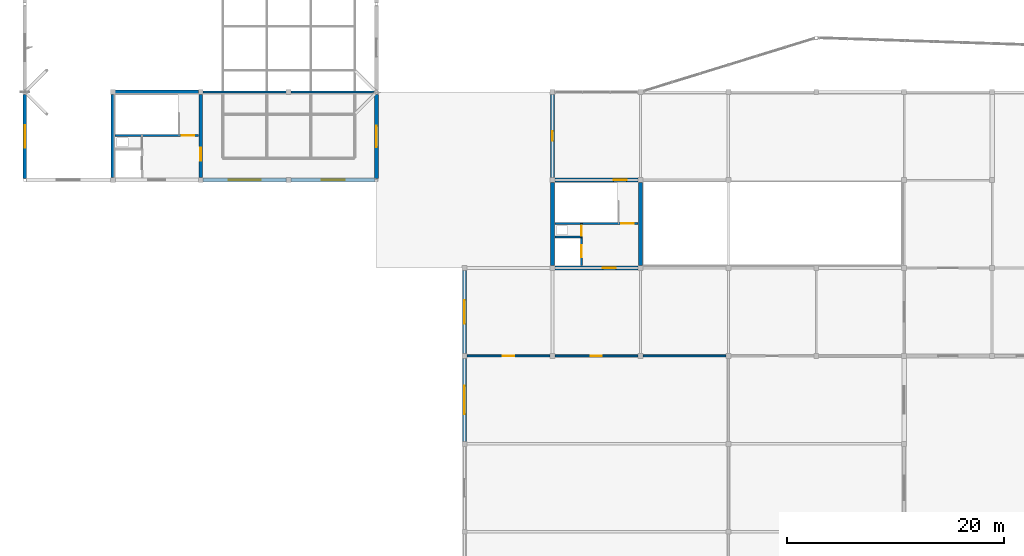
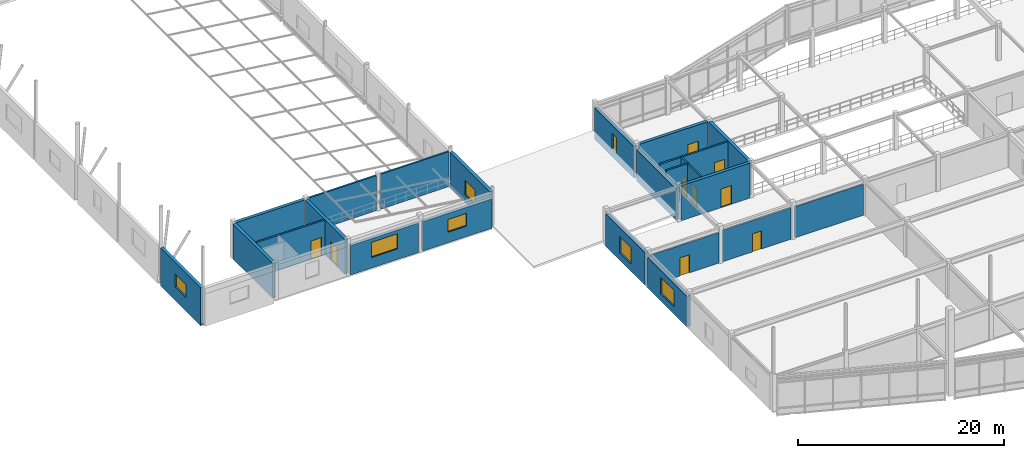
# One storey, part 64 of 89: 24 walls, 9 doors, 7 windows, 16 openings.
"""IFC4 building model written with IfcOpenShell, lengths in metres."""

from ifc_helpers import new_model, si_unit, direction, frame, frame_2d, origin, place, context, subcontext, project, spatial, rectangle, extrude, material, layer, layer_set, type_object, element, fill, save


model = new_model("IFC4")

# Units and contexts
model_context = context("Model", 3, precision=1e-05, world=origin(), true_north=direction((0.0, 1.0)))
body_context = subcontext(model_context, "Body", "Model", "MODEL_VIEW")
ifc_project = project(units=[si_unit("LENGTHUNIT", "METRE"), si_unit("AREAUNIT", "SQUARE_METRE"), si_unit("VOLUMEUNIT", "CUBIC_METRE"), si_unit("PLANEANGLEUNIT", "RADIAN"), si_unit("MASSUNIT", "GRAM", prefix="KILO")], contexts=[model_context])

# Site, building, storey
site_placement = place(None, origin())
site = spatial("IfcSite", under=ifc_project, at=site_placement, CompositionType="ELEMENT")
building_placement = place(site_placement, origin())
building = spatial("IfcBuilding", under=site, at=building_placement, Name="Vaudrelin Polytechnic", CompositionType="ELEMENT")
storey_placement = place(building_placement, frame((0.0, 0.0, 9.68994140625)))
storey = spatial("IfcBuildingStorey", under=building, at=storey_placement, Name="L02", CompositionType="ELEMENT", Elevation=9.68994140625)

# Wall, opening, window
ifc_material_1 = material(Name="Insulated precast concrete sandwich panel 40 MPa", Category="concrete")
ifc_layer_1 = layer(ifc_material_1, 0.340087890625)
ifc_layer_set_1 = layer_set([ifc_layer_1], Name="Insulated precast concrete sandwich panel 40 MPa")
wall_type_1 = type_object("IfcWallType", Name="WAL-EW-IND340", PredefinedType="STANDARD", material=ifc_layer_set_1)
wall_1_placement = place(storey_placement, frame((0.0, 40.625, -0.3798828125), z_axis=(0.0, 0.0, 1.0), x_axis=(0.0, 1.0, 0.0)))
wall_1 = element("IfcWall", 1, at=wall_1_placement, inside=storey, type_object=wall_type_1, Name="Exterior wall L02 W_V1_00", PredefinedType="STANDARD", context=body_context, shape_type="SweptSolid", body=[
    extrude(rectangle(XDim=7.77392578125, YDim=0.340087890625, at=frame_2d((3.886962890625, 0.0))), origin(), (0.0, 0.0, 1.0), 4.52197265625),
])
opening_1_placement = place(wall_1_placement, frame((2.8369140625, 0.0, 1.6298828125)))
opening_1 = element("IfcOpeningElement", 2, at=opening_1_placement, cuts=wall_1, Name="Opening W-L02-W-V1-01", PredefinedType="OPENING", context=body_context, shape_type="SweptSolid", body=[
    extrude(rectangle(XDim=2.10009765625, YDim=1.5, at=frame_2d((1.050048828125, 0.75))), frame((0.0, 0.18017578125, 0.0), z_axis=(0.0, -1.0, 0.0), x_axis=(1.0, 0.0, 0.0)), (0.0, 0.0, 1.0), 0.360107421875),
])
ifc_material_2 = material(Name="Thermally broken aluminium frame with triple low-e glazing", Category="aluminium")
window_type_1 = type_object("IfcWindowType", Name="WIN-WN-05", PartitioningType="SINGLE_PANEL", PredefinedType="WINDOW", material=ifc_material_2)
window_1_placement = place(opening_1_placement, origin())
window_1 = element("IfcWindow", 3, at=window_1_placement, inside=storey, type_object=window_type_1, Name="Facade window L02-W_V1_00", OverallHeight=1.5, OverallWidth=2.10009765625, PartitioningType="SINGLE_PANEL", PredefinedType="WINDOW", context=body_context, shape_type="SweptSolid", body=[
    extrude(rectangle(XDim=2.10009765625, YDim=1.5, at=frame_2d((1.050048828125, 0.75))), frame((0.0, 0.030029296875, 0.0), z_axis=(0.0, -1.0, 0.0), x_axis=(1.0, 0.0, 0.0)), (0.0, 0.0, 1.0), 0.06005859375),
])
fill(opening_1, window_1)

wall_2_placement = place(storey_placement, frame((16.423095703125, 40.5, 0.0), z_axis=(0.0, 0.0, 1.0), x_axis=(1.0, 0.0, 0.0)))
wall_2 = element("IfcWall", 4, at=wall_2_placement, inside=storey, type_object=wall_type_1, Name="Exterior wall L02 S_V1_02", PredefinedType="STANDARD", context=body_context, shape_type="SweptSolid", body=[
    extrude(rectangle(XDim=7.65380859375, YDim=0.340087890625, at=frame_2d((3.826904296875, 0.0))), origin(), (0.0, 0.0, 1.0), 3.47998046875),
])
opening_2_placement = place(wall_2_placement, frame((2.35205078125, 0.0, 1.25)))
opening_2 = element("IfcOpeningElement", 5, at=opening_2_placement, cuts=wall_2, Name="Opening W-L02-S-V1-03", PredefinedType="OPENING", context=body_context, shape_type="SweptSolid", body=[
    extrude(rectangle(XDim=2.949951171875, YDim=1.800048828125, at=frame_2d((1.47509765625, 0.89990234375))), frame((0.0, 0.18017578125, 0.0), z_axis=(0.0, -1.0, 0.0), x_axis=(1.0, 0.0, 0.0)), (0.0, 0.0, 1.0), 0.360107421875),
])
window_type_2 = type_object("IfcWindowType", Name="WIN-WN-35", PartitioningType="SINGLE_PANEL", PredefinedType="WINDOW", material=ifc_material_2)
window_2_placement = place(opening_2_placement, origin())
window_2 = element("IfcWindow", 6, at=window_2_placement, inside=storey, type_object=window_type_2, Name="Facade window L02-S_V1_02", OverallHeight=1.800048828125, OverallWidth=2.949951171875, PartitioningType="SINGLE_PANEL", PredefinedType="WINDOW", context=body_context, shape_type="SweptSolid", body=[
    extrude(rectangle(XDim=2.949951171875, YDim=1.800048828125, at=frame_2d((1.47509765625, 0.89990234375))), frame((0.0, 0.030029296875, 0.0), z_axis=(0.0, -1.0, 0.0), x_axis=(1.0, 0.0, 0.0)), (0.0, 0.0, 1.0), 0.06005859375),
])
fill(opening_2, window_2)

wall_3_placement = place(storey_placement, frame((24.52294921875, 40.5, 0.0), z_axis=(0.0, 0.0, 1.0), x_axis=(1.0, 0.0, 0.0)))
wall_3 = element("IfcWall", 7, at=wall_3_placement, inside=storey, type_object=wall_type_1, Name="Exterior wall L02 S_V1_03", PredefinedType="STANDARD", context=body_context, shape_type="SweptSolid", body=[
    extrude(rectangle(XDim=7.751953125, YDim=0.340087890625, at=frame_2d((3.8759765625, 0.0))), origin(), (0.0, 0.0, 1.0), 3.47998046875),
])
opening_3_placement = place(wall_3_placement, frame((2.825927734375, 0.0, 1.25)))
opening_3 = element("IfcOpeningElement", 8, at=opening_3_placement, cuts=wall_3, Name="Opening W-L02-S-V1-04", PredefinedType="OPENING", context=body_context, shape_type="SweptSolid", body=[
    extrude(rectangle(XDim=2.10009765625, YDim=1.5, at=frame_2d((1.050048828125, 0.75))), frame((0.0, 0.18017578125, 0.0), z_axis=(0.0, -1.0, 0.0), x_axis=(1.0, 0.0, 0.0)), (0.0, 0.0, 1.0), 0.360107421875),
])
window_3_placement = place(opening_3_placement, origin())
window_3 = element("IfcWindow", 9, at=window_3_placement, inside=storey, type_object=window_type_1, Name="Facade window L02-S_V1_03", OverallHeight=1.5, OverallWidth=2.10009765625, PartitioningType="SINGLE_PANEL", PredefinedType="WINDOW", context=body_context, shape_type="SweptSolid", body=[
    extrude(rectangle(XDim=2.10009765625, YDim=1.5, at=frame_2d((1.050048828125, 0.75))), frame((0.0, 0.030029296875, 0.0), z_axis=(0.0, -1.0, 0.0), x_axis=(1.0, 0.0, 0.0)), (0.0, 0.0, 1.0), 0.06005859375),
])
fill(opening_3, window_3)

ifc_material_3 = material(Name="Architectural ribbed precast concrete 40 MPa", Category="concrete")
ifc_layer_2 = layer(ifc_material_3, 0.3798828125)
ifc_layer_set_2 = layer_set([ifc_layer_2], Name="Architectural ribbed precast concrete 40 MPa")
wall_type_2 = type_object("IfcWallType", Name="WAL-EW-PREC380", PredefinedType="STANDARD", material=ifc_layer_set_2)
wall_4_placement = place(storey_placement, frame((40.5, 16.423095703125, 0.0), z_axis=(0.0, 0.0, 1.0), x_axis=(0.0, 1.0, 0.0)))
wall_4 = element("IfcWall", 10, at=wall_4_placement, inside=storey, type_object=wall_type_2, Name="Exterior wall L02 W_V2_02", PredefinedType="STANDARD", context=body_context, shape_type="SweptSolid", body=[
    extrude(rectangle(XDim=7.65380859375, YDim=0.3798828125, at=frame_2d((3.826904296875, 0.0))), origin(), (0.0, 0.0, 1.0), 3.593017578125),
])
opening_4_placement = place(wall_4_placement, frame((2.527099609375, 0.0, 0.85009765625)))
opening_4 = element("IfcOpeningElement", 11, at=opening_4_placement, cuts=wall_4, Name="Opening W-L02-W-V2-03", PredefinedType="OPENING", context=body_context, shape_type="SweptSolid", body=[
    extrude(rectangle(XDim=2.60009765625, YDim=1.949951171875, at=frame_2d((1.300048828125, 0.97509765625))), frame((0.0, 0.199951171875, 0.0), z_axis=(0.0, -1.0, 0.0), x_axis=(1.0, 0.0, 0.0)), (0.0, 0.0, 1.0), 0.39990234375),
])
window_type_3 = type_object("IfcWindowType", Name="WIN-WN-12", PartitioningType="SINGLE_PANEL", PredefinedType="WINDOW", material=ifc_material_2)
window_4_placement = place(opening_4_placement, origin())
window_4 = element("IfcWindow", 12, at=window_4_placement, inside=storey, type_object=window_type_3, Name="Facade window L02-W_V2_02", OverallHeight=1.949951171875, OverallWidth=2.60009765625, PartitioningType="SINGLE_PANEL", PredefinedType="WINDOW", context=body_context, shape_type="SweptSolid", body=[
    extrude(rectangle(XDim=2.60009765625, YDim=1.949951171875, at=frame_2d((1.300048828125, 0.97509765625))), frame((0.0, 0.030029296875, 0.0), z_axis=(0.0, -1.0, 0.0), x_axis=(1.0, 0.0, 0.0)), (0.0, 0.0, 1.0), 0.06005859375),
])
fill(opening_4, window_4)

wall_5_placement = place(storey_placement, frame((40.5, 24.52294921875, 0.0), z_axis=(0.0, 0.0, 1.0), x_axis=(0.0, 1.0, 0.0)))
wall_5 = element("IfcWall", 13, at=wall_5_placement, inside=storey, type_object=wall_type_2, Name="Exterior wall L02 W_V2_03", PredefinedType="STANDARD", context=body_context, shape_type="SweptSolid", body=[
    extrude(rectangle(XDim=7.654052734375, YDim=0.3798828125, at=frame_2d((3.8271484375, 0.0))), origin(), (0.0, 0.0, 1.0), 3.837158203125),
])
opening_5_placement = place(wall_5_placement, frame((2.72705078125, 0.0, 0.85009765625)))
opening_5 = element("IfcOpeningElement", 14, at=opening_5_placement, cuts=wall_5, Name="Opening W-L02-W-V2-04", PredefinedType="OPENING", context=body_context, shape_type="SweptSolid", body=[
    extrude(rectangle(XDim=2.199951171875, YDim=1.949951171875, at=frame_2d((1.10009765625, 0.97509765625))), frame((0.0, 0.199951171875, 0.0), z_axis=(0.0, -1.0, 0.0), x_axis=(1.0, 0.0, 0.0)), (0.0, 0.0, 1.0), 0.39990234375),
])
window_type_4 = type_object("IfcWindowType", Name="WIN-WN-13", PartitioningType="SINGLE_PANEL", PredefinedType="WINDOW", material=ifc_material_2)
window_5_placement = place(opening_5_placement, origin())
window_5 = element("IfcWindow", 15, at=window_5_placement, inside=storey, type_object=window_type_4, Name="Facade window L02-W_V2_03", OverallHeight=1.949951171875, OverallWidth=2.199951171875, PartitioningType="SINGLE_PANEL", PredefinedType="WINDOW", context=body_context, shape_type="SweptSolid", body=[
    extrude(rectangle(XDim=2.199951171875, YDim=1.949951171875, at=frame_2d((1.10009765625, 0.97509765625))), frame((0.0, 0.030029296875, 0.0), z_axis=(0.0, -1.0, 0.0), x_axis=(1.0, 0.0, 0.0)), (0.0, 0.0, 1.0), 0.06005859375),
])
fill(opening_5, window_5)

# Wall
ifc_material_4 = material(Name="Precast concrete 35 MPa with standing-seam zinc rainscreen", Category="concrete")
ifc_layer_3 = layer(ifc_material_4, 0.360107421875)
ifc_layer_set_3 = layer_set([ifc_layer_3], Name="Precast concrete 35 MPa with standing-seam zinc rainscreen")
wall_type_3 = type_object("IfcWallType", Name="WAL-EW-ZINC360", PredefinedType="STANDARD", material=ifc_layer_set_3)
wall_6_placement = place(storey_placement, frame((48.60009765625, 32.623046875, 0.0), z_axis=(0.0, 0.0, 1.0), x_axis=(0.0, 1.0, 0.0)))
element("IfcWall", 16, at=wall_6_placement, inside=storey, type_object=wall_type_3, Name="Exterior wall L02 W_V6_00", PredefinedType="STANDARD", context=body_context, shape_type="SweptSolid", body=[
    extrude(rectangle(XDim=7.654052734375, YDim=0.360107421875, at=frame_2d((3.8271484375, 0.0))), origin(), (0.0, 0.0, 1.0), 3.68212890625),
])

# Wall, opening, window
wall_7_placement = place(storey_placement, frame((48.60009765625, 40.722900390625, 0.0), z_axis=(0.0, 0.0, 1.0), x_axis=(0.0, 1.0, 0.0)))
wall_7 = element("IfcWall", 17, at=wall_7_placement, inside=storey, type_object=wall_type_3, Name="Exterior wall L02 W_V6_01", PredefinedType="STANDARD", context=body_context, shape_type="SweptSolid", body=[
    extrude(rectangle(XDim=7.654052734375, YDim=0.360107421875, at=frame_2d((3.8271484375, 0.0))), origin(), (0.0, 0.0, 1.0), 3.732177734375),
])
opening_6_placement = place(wall_7_placement, frame((3.376953125, 0.0, 0.85009765625)))
opening_6 = element("IfcOpeningElement", 18, at=opening_6_placement, cuts=wall_7, Name="Opening W-L02-W-V6-02", PredefinedType="OPENING", context=body_context, shape_type="SweptSolid", body=[
    extrude(rectangle(XDim=0.89990234375, YDim=1.89990234375, at=frame_2d((0.449951171875, 0.949951171875))), frame((0.0, 0.18994140625, 0.0), z_axis=(0.0, -1.0, 0.0), x_axis=(1.0, 0.0, 0.0)), (0.0, 0.0, 1.0), 0.380126953125),
])
window_type_5 = type_object("IfcWindowType", Name="WIN-WN-09", PartitioningType="SINGLE_PANEL", PredefinedType="WINDOW", material=ifc_material_2)
window_6_placement = place(opening_6_placement, origin())
window_6 = element("IfcWindow", 19, at=window_6_placement, inside=storey, type_object=window_type_5, Name="Facade window L02-W_V6_01", OverallHeight=1.89990234375, OverallWidth=0.89990234375, PartitioningType="SINGLE_PANEL", PredefinedType="WINDOW", context=body_context, shape_type="SweptSolid", body=[
    extrude(rectangle(XDim=0.89990234375, YDim=1.89990234375, at=frame_2d((0.449951171875, 0.949951171875))), frame((0.0, 0.030029296875, 0.0), z_axis=(0.0, -1.0, 0.0), x_axis=(1.0, 0.0, 0.0)), (0.0, 0.0, 1.0), 0.06005859375),
])
fill(opening_6, window_6)

wall_8_placement = place(storey_placement, frame((32.39990234375, 40.625, 0.0), z_axis=(0.0, 0.0, 1.0), x_axis=(0.0, 1.0, 0.0)))
wall_8 = element("IfcWall", 20, at=wall_8_placement, inside=storey, type_object=wall_type_3, Name="Exterior wall L02 CT_W_00", PredefinedType="STANDARD", context=body_context, shape_type="SweptSolid", body=[
    extrude(rectangle(XDim=7.77392578125, YDim=0.360107421875, at=frame_2d((3.886962890625, 0.0))), origin(), (0.0, 0.0, 1.0), 4.14208984375),
])
opening_7_placement = place(wall_8_placement, frame((2.912109375, 0.0, 0.85009765625)))
opening_7 = element("IfcOpeningElement", 21, at=opening_7_placement, cuts=wall_8, Name="Opening W-L02-CT-W-01", PredefinedType="OPENING", context=body_context, shape_type="SweptSolid", body=[
    extrude(rectangle(XDim=1.949951171875, YDim=1.75, at=frame_2d((0.97509765625, 0.875))), frame((0.0, 0.18994140625, 0.0), z_axis=(0.0, -1.0, 0.0), x_axis=(1.0, 0.0, 0.0)), (0.0, 0.0, 1.0), 0.380126953125),
])
window_type_6 = type_object("IfcWindowType", Name="WIN-WN-17", PartitioningType="SINGLE_PANEL", PredefinedType="WINDOW", material=ifc_material_2)
window_7_placement = place(opening_7_placement, origin())
window_7 = element("IfcWindow", 22, at=window_7_placement, inside=storey, type_object=window_type_6, Name="Facade window L02-CT_W_00", OverallHeight=1.75, OverallWidth=1.949951171875, PartitioningType="SINGLE_PANEL", PredefinedType="WINDOW", context=body_context, shape_type="SweptSolid", body=[
    extrude(rectangle(XDim=1.949951171875, YDim=1.75, at=frame_2d((0.97509765625, 0.875))), frame((0.0, 0.030029296875, 0.0), z_axis=(0.0, -1.0, 0.0), x_axis=(1.0, 0.0, 0.0)), (0.0, 0.0, 1.0), 0.06005859375),
])
fill(opening_7, window_7)

# Wall, opening, door
ifc_material_5 = material(Name="Acoustic double-stud gypsum & mineral-wool partition", Category="gypsum")
ifc_layer_4 = layer(ifc_material_5, 0.179931640625)
ifc_layer_set_4 = layer_set([ifc_layer_4], Name="Acoustic double-stud gypsum & mineral-wool partition")
wall_type_4 = type_object("IfcWallType", Name="WAL-PW-AC180", PredefinedType="PARTITIONING", material=ifc_layer_set_4)
wall_9_placement = place(storey_placement, frame((40.722900390625, 24.300048828125, 0.0), z_axis=(0.0, 0.0, 1.0), x_axis=(1.0, 0.0, 0.0)))
wall_9 = element("IfcWall", 23, at=wall_9_placement, inside=storey, type_object=wall_type_4, Name="Partition L02-004 N", PredefinedType="PARTITIONING", context=body_context, shape_type="SweptSolid", body=[
    extrude(rectangle(XDim=7.654052734375, YDim=0.179931640625, at=frame_2d((3.8271484375, 0.0))), origin(), (0.0, 0.0, 1.0), 3.609130859375),
])
opening_8_placement = place(wall_9_placement, frame((3.287109375, 0.0, 0.0)))
opening_8 = element("IfcOpeningElement", 24, at=opening_8_placement, cuts=wall_9, Name="Opening D-L02-472", PredefinedType="OPENING", context=body_context, shape_type="SweptSolid", body=[
    extrude(rectangle(XDim=1.080078125, YDim=2.14990234375, at=frame_2d((0.5400390625, 1.074951171875))), frame((0.0, 0.10009765625, 0.0), z_axis=(0.0, -1.0, 0.0), x_axis=(1.0, 0.0, 0.0)), (0.0, 0.0, 1.0), 0.199951171875),
])
ifc_material_6 = material(Name="Solid-core birch veneer acoustic leaf", Category="wood")
door_type_1 = type_object("IfcDoorType", Name="DOR-ID-SEM2", OperationType="NOTDEFINED", PredefinedType="DOOR", material=ifc_material_6)
door_1_placement = place(opening_8_placement, origin())
door_1 = element("IfcDoor", 25, at=door_1_placement, inside=storey, type_object=door_type_1, Name="Seminar Room 201 door L02-004", OperationType="SINGLE_SWING_LEFT", OverallHeight=2.14990234375, OverallWidth=1.080078125, PredefinedType="DOOR", context=body_context, shape_type="SweptSolid", body=[
    extrude(rectangle(XDim=1.080078125, YDim=2.14990234375, at=frame_2d((0.5400390625, 1.074951171875))), frame((0.0, 0.02490234375, 0.0), z_axis=(0.0, -1.0, 0.0), x_axis=(1.0, 0.0, 0.0)), (0.0, 0.0, 1.0), 0.050048828125),
])
fill(opening_8, door_1)

wall_10_placement = place(storey_placement, frame((48.822998046875, 24.300048828125, 0.0), z_axis=(0.0, 0.0, 1.0), x_axis=(1.0, 0.0, 0.0)))
wall_10 = element("IfcWall", 26, at=wall_10_placement, inside=storey, type_object=wall_type_4, Name="Partition L02-004 N", PredefinedType="PARTITIONING", context=body_context, shape_type="SweptSolid", body=[
    extrude(rectangle(XDim=7.654052734375, YDim=0.179931640625, at=frame_2d((3.8271484375, 0.0))), origin(), (0.0, 0.0, 1.0), 3.72705078125),
])
opening_9_placement = place(wall_10_placement, frame((3.326904296875, 0.0, 0.0)))
opening_9 = element("IfcOpeningElement", 27, at=opening_9_placement, cuts=wall_10, Name="Opening D-L02-584", PredefinedType="OPENING", context=body_context, shape_type="SweptSolid", body=[
    extrude(rectangle(XDim=1.0, YDim=2.14990234375, at=frame_2d((0.5, 1.074951171875))), frame((0.0, 0.10009765625, 0.0), z_axis=(0.0, -1.0, 0.0), x_axis=(1.0, 0.0, 0.0)), (0.0, 0.0, 1.0), 0.199951171875),
])
door_type_2 = type_object("IfcDoorType", Name="DOR-ID-SEM1", OperationType="NOTDEFINED", PredefinedType="DOOR", material=ifc_material_6)
door_2_placement = place(opening_9_placement, origin())
door_2 = element("IfcDoor", 28, at=door_2_placement, inside=storey, type_object=door_type_2, Name="Seminar Room 201 corridor door L02", OperationType="SINGLE_SWING_LEFT", OverallHeight=2.14990234375, OverallWidth=1.0, PredefinedType="DOOR", context=body_context, shape_type="SweptSolid", body=[
    extrude(rectangle(XDim=1.0, YDim=2.14990234375, at=frame_2d((0.5, 1.074951171875))), frame((0.0, 0.02490234375, 0.0), z_axis=(0.0, -1.0, 0.0), x_axis=(1.0, 0.0, 0.0)), (0.0, 0.0, 1.0), 0.050048828125),
])
fill(opening_9, door_2)

# Walls
wall_11_placement = place(storey_placement, frame((56.923095703125, 24.300048828125, 0.0), z_axis=(0.0, 0.0, 1.0), x_axis=(1.0, 0.0, 0.0)))
element("IfcWall", 29, at=wall_11_placement, inside=storey, type_object=wall_type_4, Name="Partition L02-004 N", PredefinedType="PARTITIONING", context=body_context, shape_type="SweptSolid", body=[
    extrude(rectangle(XDim=7.65380859375, YDim=0.179931640625, at=frame_2d((3.826904296875, 0.0))), origin(), (0.0, 0.0, 1.0), 3.68212890625),
])
ifc_material_7 = material(Name="Concrete masonry unit 20 MPa shaft & corridor fire wall", Category="masonry")
ifc_layer_5 = layer(ifc_material_7, 0.199951171875)
ifc_layer_set_5 = layer_set([ifc_layer_5], Name="Concrete masonry unit 20 MPa shaft & corridor fire wall")
wall_type_5 = type_object("IfcWallType", Name="WAL-PW-FIRE120", PredefinedType="PARTITIONING", material=ifc_layer_set_5)
wall_12_placement = place(storey_placement, frame((16.423095703125, 48.60009765625, 0.0), z_axis=(0.0, 0.0, 1.0), x_axis=(1.0, 0.0, 0.0)))
element("IfcWall", 30, at=wall_12_placement, inside=storey, type_object=wall_type_5, Name="Partition L02-001 N", PredefinedType="PARTITIONING", context=body_context, shape_type="SweptSolid", body=[
    extrude(rectangle(XDim=7.65380859375, YDim=0.199951171875, at=frame_2d((3.826904296875, 0.0))), origin(), (0.0, 0.0, 1.0), 4.14208984375),
])
wall_13_placement = place(storey_placement, frame((24.52294921875, 48.60009765625, 0.0), z_axis=(0.0, 0.0, 1.0), x_axis=(1.0, 0.0, 0.0)))
element("IfcWall", 31, at=wall_13_placement, inside=storey, type_object=wall_type_5, Name="Partition L02-001 N", PredefinedType="PARTITIONING", context=body_context, shape_type="SweptSolid", body=[
    extrude(rectangle(XDim=7.676025390625, YDim=0.199951171875, at=frame_2d((3.837890625, 0.0))), origin(), (0.0, 0.0, 1.0), 4.14208984375),
])

# Wall, opening, door
ifc_material_8 = material(Name="Fire-rated steel-stud gypsum compartment wall", Category="steel")
ifc_layer_6 = layer(ifc_material_8, 0.14990234375)
ifc_layer_set_6 = layer_set([ifc_layer_6], Name="Fire-rated steel-stud gypsum compartment wall")
wall_type_6 = type_object("IfcWallType", Name="WAL-PW-FIRE60", PredefinedType="PARTITIONING", material=ifc_layer_set_6)
wall_14_placement = place(storey_placement, frame((51.280029296875, 35.25, 0.0), z_axis=(0.0, 0.0, 1.0), x_axis=(0.0, 1.0, 0.0)))
wall_14 = element("IfcWall", 32, at=wall_14_placement, inside=storey, type_object=wall_type_6, Name="Core C4 riser enclosure wall L02", PredefinedType="PARTITIONING", context=body_context, shape_type="SweptSolid", body=[
    extrude(rectangle(XDim=1.260009765625, YDim=0.14990234375, at=frame_2d((0.6298828125, 0.0))), origin(), (0.0, 0.0, 1.0), 4.14208984375),
])
opening_10_placement = place(wall_14_placement, frame((0.139892578125, 0.0, 0.0)))
opening_10 = element("IfcOpeningElement", 33, at=opening_10_placement, cuts=wall_14, Name="Opening D-L02-073", PredefinedType="OPENING", context=body_context, shape_type="SweptSolid", body=[
    extrude(rectangle(XDim=0.89990234375, YDim=2.14990234375, at=frame_2d((0.449951171875, 1.074951171875))), frame((0.0, 0.0849609375, 0.0), z_axis=(0.0, -1.0, 0.0), x_axis=(1.0, 0.0, 0.0)), (0.0, 0.0, 1.0), 0.169921875),
])
ifc_material_9 = material(Name="Pressed galvanised steel acoustic leaf", Category="steel")
door_type_3 = type_object("IfcDoorType", Name="DOR-ID-RSR1", OperationType="NOTDEFINED", PredefinedType="DOOR", material=ifc_material_9)
door_3_placement = place(opening_10_placement, origin())
door_3 = element("IfcDoor", 34, at=door_3_placement, inside=storey, type_object=door_type_3, Name="Core C4 riser access door L02", OperationType="SINGLE_SWING_RIGHT", OverallHeight=2.14990234375, OverallWidth=0.89990234375, PredefinedType="DOOR", context=body_context, shape_type="SweptSolid", body=[
    extrude(rectangle(XDim=0.89990234375, YDim=2.14990234375, at=frame_2d((0.449951171875, 1.074951171875))), frame((0.0, 0.02490234375, 0.0), z_axis=(0.0, -1.0, 0.0), x_axis=(1.0, 0.0, 0.0)), (0.0, 0.0, 1.0), 0.050048828125),
])
fill(opening_10, door_3)

ifc_material_10 = material(Name="Concrete 40 MPa", Category="concrete")
ifc_layer_7 = layer(ifc_material_10, 0.199951171875)
ifc_layer_set_7 = layer_set([ifc_layer_7], Name="Concrete 40 MPa")
wall_type_7 = type_object("IfcWallType", Name="WAL-SW-CORE200", PredefinedType="SHEAR", material=ifc_layer_set_7)
wall_15_placement = place(storey_placement, frame((8.320068359375, 44.610107421875, 0.0), z_axis=(0.0, 0.0, 1.0), x_axis=(1.0, 0.0, 0.0)))
wall_15 = element("IfcWall", 35, at=wall_15_placement, inside=storey, type_object=wall_type_7, Name="Core C3 stair enclosure wall L02", PredefinedType="SHEAR", context=body_context, shape_type="SweptSolid", body=[
    extrude(rectangle(XDim=7.659912109375, YDim=0.199951171875, at=frame_2d((3.830078125, 0.0))), origin(), (0.0, 0.0, 1.0), 4.14208984375),
])
opening_11_placement = place(wall_15_placement, frame((6.110107421875, 0.0, 0.0)))
opening_11 = element("IfcOpeningElement", 36, at=opening_11_placement, cuts=wall_15, Name="Opening D-L02-056", PredefinedType="OPENING", context=body_context, shape_type="SweptSolid", body=[
    extrude(rectangle(XDim=1.14990234375, YDim=2.199951171875, at=frame_2d((0.574951171875, 1.10009765625))), frame((0.0, 0.10986328125, 0.0), z_axis=(0.0, -1.0, 0.0), x_axis=(1.0, 0.0, 0.0)), (0.0, 0.0, 1.0), 0.219970703125),
])
door_type_4 = type_object("IfcDoorType", Name="DOR-ID-ST1", OperationType="NOTDEFINED", PredefinedType="DOOR", material=ifc_material_9)
door_4_placement = place(opening_11_placement, origin())
door_4 = element("IfcDoor", 37, at=door_4_placement, inside=storey, type_object=door_type_4, Name="Core C3 exit stair door L02", OperationType="SINGLE_SWING_LEFT", OverallHeight=2.199951171875, OverallWidth=1.14990234375, PredefinedType="DOOR", context=body_context, shape_type="SweptSolid", body=[
    extrude(rectangle(XDim=1.14990234375, YDim=2.199951171875, at=frame_2d((0.574951171875, 1.10009765625))), frame((0.0, 0.02490234375, 0.0), z_axis=(0.0, -1.0, 0.0), x_axis=(1.0, 0.0, 0.0)), (0.0, 0.0, 1.0), 0.050048828125),
])
fill(opening_11, door_4)

wall_16_placement = place(storey_placement, frame((48.820068359375, 36.510009765625, 0.0), z_axis=(0.0, 0.0, 1.0), x_axis=(1.0, 0.0, 0.0)))
wall_16 = element("IfcWall", 38, at=wall_16_placement, inside=storey, type_object=wall_type_7, Name="Core C4 stair enclosure wall L02", PredefinedType="SHEAR", context=body_context, shape_type="SweptSolid", body=[
    extrude(rectangle(XDim=7.659912109375, YDim=0.199951171875, at=frame_2d((3.830078125, 0.0))), origin(), (0.0, 0.0, 1.0), 4.14208984375),
])
opening_12_placement = place(wall_16_placement, frame((6.110107421875, 0.0, 0.0)))
opening_12 = element("IfcOpeningElement", 39, at=opening_12_placement, cuts=wall_16, Name="Opening D-L02-072", PredefinedType="OPENING", context=body_context, shape_type="SweptSolid", body=[
    extrude(rectangle(XDim=1.14990234375, YDim=2.199951171875, at=frame_2d((0.574951171875, 1.10009765625))), frame((0.0, 0.10986328125, 0.0), z_axis=(0.0, -1.0, 0.0), x_axis=(1.0, 0.0, 0.0)), (0.0, 0.0, 1.0), 0.219970703125),
])
door_5_placement = place(opening_12_placement, origin())
door_5 = element("IfcDoor", 40, at=door_5_placement, inside=storey, type_object=door_type_4, Name="Core C4 exit stair door L02", OperationType="SINGLE_SWING_LEFT", OverallHeight=2.199951171875, OverallWidth=1.14990234375, PredefinedType="DOOR", context=body_context, shape_type="SweptSolid", body=[
    extrude(rectangle(XDim=1.14990234375, YDim=2.199951171875, at=frame_2d((0.574951171875, 1.10009765625))), frame((0.0, 0.02490234375, 0.0), z_axis=(0.0, -1.0, 0.0), x_axis=(1.0, 0.0, 0.0)), (0.0, 0.0, 1.0), 0.050048828125),
])
fill(opening_12, door_5)

wall_17_placement = place(storey_placement, frame((51.280029296875, 32.64990234375, 0.0), z_axis=(0.0, 0.0, 1.0), x_axis=(0.0, 1.0, 0.0)))
wall_17 = element("IfcWall", 41, at=wall_17_placement, inside=storey, type_object=wall_type_7, Name="Lift LF-04 shaft front wall L02", PredefinedType="SHEAR", context=body_context, shape_type="SweptSolid", body=[
    extrude(rectangle(XDim=2.60009765625, YDim=0.199951171875, at=frame_2d((1.300048828125, 0.0))), origin(), (0.0, 0.0, 1.0), 4.14208984375),
])
opening_13_placement = place(wall_17_placement, frame((0.75, 0.0, 0.0)))
opening_13 = element("IfcOpeningElement", 42, at=opening_13_placement, cuts=wall_17, Name="Opening LD-LF-04-L02", PredefinedType="OPENING", context=body_context, shape_type="SweptSolid", body=[
    extrude(rectangle(XDim=1.10009765625, YDim=2.199951171875, at=frame_2d((0.550048828125, 1.10009765625))), frame((0.0, 0.10986328125, 0.0), z_axis=(0.0, -1.0, 0.0), x_axis=(1.0, 0.0, 0.0)), (0.0, 0.0, 1.0), 0.219970703125),
])
ifc_material_11 = material(Name="Brushed stainless steel AISI 304", Category="steel")
door_type_5 = type_object("IfcDoorType", Name="DOR-LD-PAX", OperationType="SLIDING_TO_LEFT", PredefinedType="DOOR", material=ifc_material_11)
door_6_placement = place(opening_13_placement, origin())
door_6 = element("IfcDoor", 43, at=door_6_placement, inside=storey, type_object=door_type_5, Name="Lift LF-04 landing door L02", OperationType="SLIDING_TO_LEFT", OverallHeight=2.199951171875, OverallWidth=1.10009765625, PredefinedType="DOOR", context=body_context, shape_type="SweptSolid", body=[
    extrude(rectangle(XDim=1.10009765625, YDim=2.199951171875, at=frame_2d((0.550048828125, 1.10009765625))), frame((0.0, 0.02490234375, 0.0), z_axis=(0.0, -1.0, 0.0), x_axis=(1.0, 0.0, 0.0)), (0.0, 0.0, 1.0), 0.050048828125),
])
fill(opening_13, door_6)

# Walls
wall_18_placement = place(storey_placement, frame((48.820068359375, 35.25, 0.0), z_axis=(0.0, 0.0, 1.0), x_axis=(1.0, 0.0, 0.0)))
element("IfcWall", 44, at=wall_18_placement, inside=storey, type_object=wall_type_7, Name="Lift LF-04 shaft north wall L02", PredefinedType="SHEAR", context=body_context, shape_type="SweptSolid", body=[
    extrude(rectangle(XDim=2.559814453125, YDim=0.199951171875, at=frame_2d((1.27978515625, 0.0))), origin(), (0.0, 0.0, 1.0), 4.14208984375),
])
ifc_material_12 = material(Name="Concrete 50 MPa", Category="concrete")
ifc_layer_8 = layer(ifc_material_12, 0.35009765625)
ifc_layer_set_8 = layer_set([ifc_layer_8], Name="Concrete 50 MPa")
wall_type_8 = type_object("IfcWallType", Name="WAL-SW-CORE350", PredefinedType="SHEAR", material=ifc_layer_set_8)
for number, where, z_axis, x_axis, name in (
    (45, (8.322998046875, 48.60009765625, 0.0), (0.0, 0.0, 1.0), (1.0, 0.0, 0.0), "Core C3 N shear wall L02"),
    (46, (8.10009765625, 40.722900390625, 0.0), (0.0, 0.0, 1.0), (0.0, 1.0, 0.0), "Core C3 W shear wall L02"),
):
    element("IfcWall", number, at=place(storey_placement, frame(where, z_axis=z_axis, x_axis=x_axis)), inside=storey, type_object=wall_type_8, Name=name, PredefinedType="SHEAR", context=body_context, shape_type="SweptSolid", body=[
        extrude(rectangle(XDim=7.654052734375, YDim=0.35009765625, at=frame_2d((3.8271484375, 0.0))), origin(), (0.0, 0.0, 1.0), 4.14208984375),
    ])

# Wall, opening, door
wall_19_placement = place(storey_placement, frame((16.199951171875, 40.722900390625, 0.0), z_axis=(0.0, 0.0, 1.0), x_axis=(0.0, 1.0, 0.0)))
wall_19 = element("IfcWall", 47, at=wall_19_placement, inside=storey, type_object=wall_type_8, Name="Core C3 E shear wall L02", PredefinedType="SHEAR", context=body_context, shape_type="SweptSolid", body=[
    extrude(rectangle(XDim=7.654052734375, YDim=0.35009765625, at=frame_2d((3.8271484375, 0.0))), origin(), (0.0, 0.0, 1.0), 4.14208984375),
])
opening_14_placement = place(wall_19_placement, frame((1.550048828125, 0.0, 0.0)))
opening_14 = element("IfcOpeningElement", 48, at=opening_14_placement, cuts=wall_19, Name="Opening D-L02-055", PredefinedType="OPENING", context=body_context, shape_type="SweptSolid", body=[
    extrude(rectangle(XDim=1.199951171875, YDim=2.199951171875, at=frame_2d((0.60009765625, 1.10009765625))), frame((0.0, 0.18505859375, 0.0), z_axis=(0.0, -1.0, 0.0), x_axis=(1.0, 0.0, 0.0)), (0.0, 0.0, 1.0), 0.3701171875),
])
door_type_6 = type_object("IfcDoorType", Name="DOR-ID-LB1", OperationType="NOTDEFINED", PredefinedType="DOOR", material=ifc_material_9)
door_7_placement = place(opening_14_placement, origin())
door_7 = element("IfcDoor", 49, at=door_7_placement, inside=storey, type_object=door_type_6, Name="Core C3 lobby fire door L02", OperationType="SINGLE_SWING_RIGHT", OverallHeight=2.199951171875, OverallWidth=1.199951171875, PredefinedType="DOOR", context=body_context, shape_type="SweptSolid", body=[
    extrude(rectangle(XDim=1.199951171875, YDim=2.199951171875, at=frame_2d((0.60009765625, 1.10009765625))), frame((0.0, 0.02490234375, 0.0), z_axis=(0.0, -1.0, 0.0), x_axis=(1.0, 0.0, 0.0)), (0.0, 0.0, 1.0), 0.050048828125),
])
fill(opening_14, door_7)

wall_20_placement = place(storey_placement, frame((48.822998046875, 40.5, 0.0), z_axis=(0.0, 0.0, 1.0), x_axis=(1.0, 0.0, 0.0)))
wall_20 = element("IfcWall", 50, at=wall_20_placement, inside=storey, type_object=wall_type_8, Name="Core C4 N shear wall L02", PredefinedType="SHEAR", context=body_context, shape_type="SweptSolid", body=[
    extrude(rectangle(XDim=7.654052734375, YDim=0.35009765625, at=frame_2d((3.8271484375, 0.0))), origin(), (0.0, 0.0, 1.0), 4.14208984375),
])
opening_15_placement = place(wall_20_placement, frame((5.404052734375, 0.0, 0.0)))
opening_15 = element("IfcOpeningElement", 51, at=opening_15_placement, cuts=wall_20, Name="Opening D-L02-070", PredefinedType="OPENING", context=body_context, shape_type="SweptSolid", body=[
    extrude(rectangle(XDim=1.199951171875, YDim=2.199951171875, at=frame_2d((0.60009765625, 1.10009765625))), frame((0.0, 0.18505859375, 0.0), z_axis=(0.0, -1.0, 0.0), x_axis=(1.0, 0.0, 0.0)), (0.0, 0.0, 1.0), 0.3701171875),
])
door_8_placement = place(opening_15_placement, origin())
door_8 = element("IfcDoor", 52, at=door_8_placement, inside=storey, type_object=door_type_6, Name="Core C4 lobby fire door L02", OperationType="SINGLE_SWING_RIGHT", OverallHeight=2.199951171875, OverallWidth=1.199951171875, PredefinedType="DOOR", context=body_context, shape_type="SweptSolid", body=[
    extrude(rectangle(XDim=1.199951171875, YDim=2.199951171875, at=frame_2d((0.60009765625, 1.10009765625))), frame((0.0, 0.02490234375, 0.0), z_axis=(0.0, -1.0, 0.0), x_axis=(1.0, 0.0, 0.0)), (0.0, 0.0, 1.0), 0.050048828125),
])
fill(opening_15, door_8)

# Wall
wall_21_placement = place(storey_placement, frame((56.699951171875, 32.623046875, 0.0), z_axis=(0.0, 0.0, 1.0), x_axis=(0.0, 1.0, 0.0)))
element("IfcWall", 53, at=wall_21_placement, inside=storey, type_object=wall_type_8, Name="Core C4 E shear wall L02", PredefinedType="SHEAR", context=body_context, shape_type="SweptSolid", body=[
    extrude(rectangle(XDim=7.654052734375, YDim=0.35009765625, at=frame_2d((3.8271484375, 0.0))), origin(), (0.0, 0.0, 1.0), 4.14208984375),
])

# Wall, opening, door
wall_22_placement = place(storey_placement, frame((48.822998046875, 32.39990234375, 0.0), z_axis=(0.0, 0.0, 1.0), x_axis=(1.0, 0.0, 0.0)))
wall_22 = element("IfcWall", 54, at=wall_22_placement, inside=storey, type_object=wall_type_8, Name="Core C4 S shear wall L02", PredefinedType="SHEAR", context=body_context, shape_type="SweptSolid", body=[
    extrude(rectangle(XDim=7.654052734375, YDim=0.35009765625, at=frame_2d((3.8271484375, 0.0))), origin(), (0.0, 0.0, 1.0), 4.14208984375),
])
opening_16_placement = place(wall_22_placement, frame((4.427001953125, 0.0, 0.0)))
opening_16 = element("IfcOpeningElement", 55, at=opening_16_placement, cuts=wall_22, Name="Opening D-L02-071", PredefinedType="OPENING", context=body_context, shape_type="SweptSolid", body=[
    extrude(rectangle(XDim=1.199951171875, YDim=2.199951171875, at=frame_2d((0.60009765625, 1.10009765625))), frame((0.0, 0.18505859375, 0.0), z_axis=(0.0, -1.0, 0.0), x_axis=(1.0, 0.0, 0.0)), (0.0, 0.0, 1.0), 0.3701171875),
])
door_9_placement = place(opening_16_placement, origin())
door_9 = element("IfcDoor", 56, at=door_9_placement, inside=storey, type_object=door_type_6, Name="Core C4 lobby fire door L02-S", OperationType="SINGLE_SWING_LEFT", OverallHeight=2.199951171875, OverallWidth=1.199951171875, PredefinedType="DOOR", context=body_context, shape_type="SweptSolid", body=[
    extrude(rectangle(XDim=1.199951171875, YDim=2.199951171875, at=frame_2d((0.60009765625, 1.10009765625))), frame((0.0, 0.02490234375, 0.0), z_axis=(0.0, -1.0, 0.0), x_axis=(1.0, 0.0, 0.0)), (0.0, 0.0, 1.0), 0.050048828125),
])
fill(opening_16, door_9)

save(model, "model.ifc")
